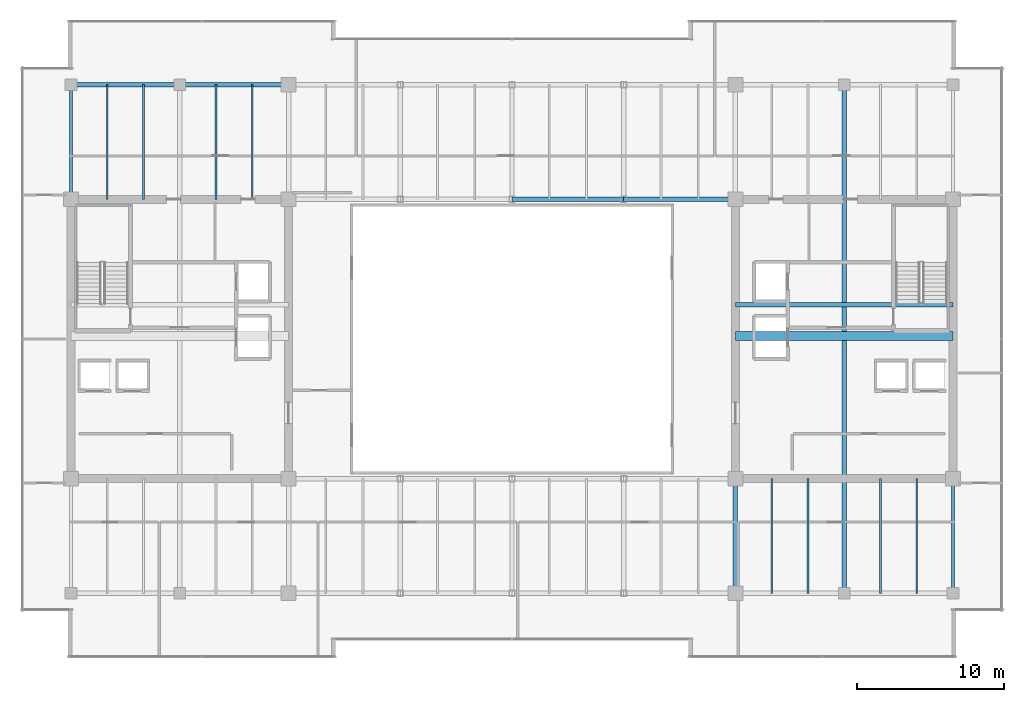
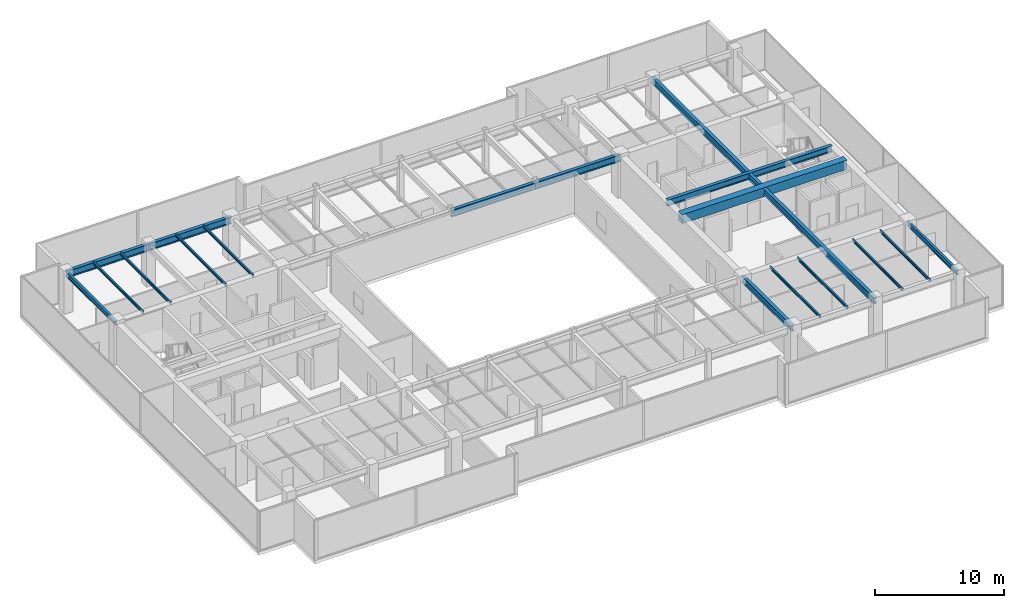
# One storey, part 14 of 33: 18 beams.
"""IFC4 building model written with IfcOpenShell, lengths in metres."""

from ifc_helpers import new_model, si_unit, direction, frame, origin, origin_2d, place, context, subcontext, project, spatial, rectangle, i_section, extrude, source, transform, mapped, material, material_profile, profile_set, type_object, type_shapes, element, save


model = new_model("IFC4")

# Units and contexts
model_context = context("Model", 3, precision=1e-05, world=origin(), true_north=direction((0.0, 1.0)))
body_context = subcontext(model_context, "Body", "Model", "MODEL_VIEW")
ifc_project = project(units=[si_unit("LENGTHUNIT", "METRE"), si_unit("AREAUNIT", "SQUARE_METRE"), si_unit("VOLUMEUNIT", "CUBIC_METRE"), si_unit("PLANEANGLEUNIT", "RADIAN"), si_unit("MASSUNIT", "GRAM", prefix="KILO")], contexts=[model_context])

# Site, building, storey
site_placement = place(None, origin())
site = spatial("IfcSite", under=ifc_project, at=site_placement, CompositionType="ELEMENT")
building_placement = place(site_placement, origin())
building = spatial("IfcBuilding", under=site, at=building_placement, Name="Haelvirn Gate Laboratories", CompositionType="ELEMENT")
storey_placement = place(building_placement, frame((0.0, 0.0, 267.0)))
storey = spatial("IfcBuildingStorey", under=building, at=storey_placement, Name="L64", CompositionType="ELEMENT", Elevation=267.0)

# Beams
ifc_material_1 = material(Name="Steel SM355", Category="steel")
ifc_material_profile_1 = material_profile(ifc_material_1, i_section(OverallWidth=0.300048828125, OverallDepth=0.587890625, WebThickness=0.011962890625, FlangeThickness=0.02001953125, at=origin_2d()), Name="H-588x300x12x20")
ifc_profile_set_1 = profile_set([ifc_material_profile_1], Name="Steel SM355")
beam_type_1 = type_object("IfcBeamType", Name="BM-G-588", PredefinedType="BEAM", material=ifc_profile_set_1)
shared_shape_1 = source(origin(), body_context, "Body", "SweptSolid", [
    extrude(i_section(OverallWidth=0.300048828125, OverallDepth=0.587890625, WebThickness=0.011962890625, FlangeThickness=0.02001953125, at=origin_2d()), origin(), (0.0, 0.0, 1.0), 14.7998046875),
])
beam_1_placement = place(storey_placement, frame((52.60009765625, 26.6201171875, 3.506103515625), z_axis=(1.0, 0.0, 0.0), x_axis=(0.0, 1.0, 0.0)))
element("IfcBeam", 1, at=beam_1_placement, inside=storey, type_object=beam_type_1, Name="L64 Stair ST2 Landing Header", PredefinedType="BEAM", context=body_context, shape_type="MappedRepresentation", body=[
    mapped(shared_shape_1, transform((0.0, 0.0, 0.0), scale=1.0)),
])
shared_shape_2 = source(origin(), body_context, "Body", "SweptSolid", [
    extrude(i_section(OverallWidth=0.300048828125, OverallDepth=0.587890625, WebThickness=0.011962890625, FlangeThickness=0.02001953125, at=origin_2d()), origin(), (0.0, 0.0, 1.0), 34.60009765625),
])
beam_2_placement = place(storey_placement, frame((60.0, 7.0, 3.506103515625), z_axis=(0.0, 1.0, 0.0), x_axis=(-1.0, 0.0, 0.0)))
element("IfcBeam", 2, at=beam_2_placement, inside=storey, type_object=beam_type_1, Name="L64 Frame Girder X60.0 (7.0-41.6)", PredefinedType="BEAM", context=body_context, shape_type="MappedRepresentation", body=[
    mapped(shared_shape_2, transform((0.0, 0.0, 0.0), scale=1.0)),
])
shared_shape_3 = source(origin(), body_context, "Body", "SweptSolid", [
    extrude(i_section(OverallWidth=0.300048828125, OverallDepth=0.587890625, WebThickness=0.011962890625, FlangeThickness=0.02001953125, at=origin_2d()), origin(), (0.0, 0.0, 1.0), 7.800048828125),
])
type_shapes(beam_type_1, [shared_shape_1, shared_shape_2, shared_shape_3])
beam_3_placement = place(storey_placement, frame((52.60009765625, 7.0, 3.506103515625), z_axis=(0.0, 1.0, 0.0), x_axis=(-1.0, 0.0, 0.0)))
element("IfcBeam", 3, at=beam_3_placement, inside=storey, type_object=beam_type_1, Name="L64 Frame Girder X52.6 (7.0-14.8)", PredefinedType="BEAM", context=body_context, shape_type="MappedRepresentation", body=[
    mapped(shared_shape_3, transform((0.0, 0.0, 0.0), scale=1.0)),
])
ifc_material_2 = material(Name="Concrete C50/60", Category="concrete")
ifc_material_profile_2 = material_profile(ifc_material_2, rectangle(XDim=0.60009765625, YDim=0.85009765625, at=origin_2d()), Name="RCB-600x850")
ifc_profile_set_2 = profile_set([ifc_material_profile_2], Name="Concrete C50/60")
beam_type_2 = type_object("IfcBeamType", Name="BM-RCB-850", PredefinedType="LINTEL", material=ifc_profile_set_2)
shared_shape_4 = source(origin(), body_context, "Body", "SweptSolid", [
    extrude(rectangle(XDim=0.60009765625, YDim=0.85009765625, at=origin_2d()), origin(), (0.0, 0.0, 1.0), 14.7998046875),
])
type_shapes(beam_type_2, [shared_shape_4])
beam_4_placement = place(storey_placement, frame((52.60009765625, 24.5, 3.375), z_axis=(1.0, 0.0, 0.0), x_axis=(0.0, 1.0, 0.0)))
element("IfcBeam", 4, at=beam_4_placement, inside=storey, type_object=beam_type_2, Name="L64 East Core Coupling Beam", PredefinedType="LINTEL", context=body_context, shape_type="MappedRepresentation", body=[
    mapped(shared_shape_4, transform((0.0, 0.0, 0.0), scale=1.0)),
])
ifc_material_profile_3 = material_profile(ifc_material_1, i_section(OverallWidth=0.300048828125, OverallDepth=0.64990234375, WebThickness=0.012939453125, FlangeThickness=0.02197265625, at=origin_2d()), Name="H-650x300x13x22")
ifc_profile_set_3 = profile_set([ifc_material_profile_3], Name="Steel SM355")
beam_type_3 = type_object("IfcBeamType", Name="BM-G-650", PredefinedType="BEAM", material=ifc_profile_set_3)
shared_shape_5 = source(origin(), body_context, "Body", "SweptSolid", [
    extrude(i_section(OverallWidth=0.300048828125, OverallDepth=0.64990234375, WebThickness=0.012939453125, FlangeThickness=0.02197265625, at=origin_2d()), origin(), (0.0, 0.0, 1.0), 7.400146484375),
])
beam_5_placement = place(storey_placement, frame((7.39990234375, 41.60009765625, 3.47509765625), z_axis=(1.0, 0.0, 0.0), x_axis=(0.0, 1.0, 0.0)))
element("IfcBeam", 5, at=beam_5_placement, inside=storey, type_object=beam_type_3, Name="L64 Primary Girder Y41.6 (7.4-14.8)", PredefinedType="BEAM", context=body_context, shape_type="MappedRepresentation", body=[
    mapped(shared_shape_5, transform((0.0, 0.0, 0.0), scale=1.0)),
])
shared_shape_6 = source(origin(), body_context, "Body", "SweptSolid", [
    extrude(i_section(OverallWidth=0.300048828125, OverallDepth=0.64990234375, WebThickness=0.012939453125, FlangeThickness=0.02197265625, at=origin_2d()), origin(), (0.0, 0.0, 1.0), 7.39990234375),
])
beam_6_placement = place(storey_placement, frame((14.800048828125, 41.60009765625, 3.47509765625), z_axis=(1.0, 0.0, 0.0), x_axis=(0.0, 1.0, 0.0)))
element("IfcBeam", 6, at=beam_6_placement, inside=storey, type_object=beam_type_3, Name="L64 Primary Girder Y41.6 (14.8-22.2)", PredefinedType="BEAM", context=body_context, shape_type="MappedRepresentation", body=[
    mapped(shared_shape_6, transform((0.0, 0.0, 0.0), scale=1.0)),
])
shared_shape_7 = source(origin(), body_context, "Body", "SweptSolid", [
    extrude(i_section(OverallWidth=0.300048828125, OverallDepth=0.64990234375, WebThickness=0.012939453125, FlangeThickness=0.02197265625, at=origin_2d()), origin(), (0.0, 0.0, 1.0), 7.60009765625),
])
type_shapes(beam_type_3, [shared_shape_5, shared_shape_6, shared_shape_7])
for number, where, z_axis, x_axis, name in (
    (7, (37.39990234375, 33.800048828125, 3.47509765625), (1.0, 0.0, 0.0), (0.0, 1.0, 0.0), "L64 Primary Girder Y33.8 (37.4-45.0)"),
    (8, (45.0, 33.800048828125, 3.47509765625), (1.0, 0.0, 0.0), (0.0, 1.0, 0.0), "L64 Primary Girder Y33.8 (45.0-52.6)"),
):
    element("IfcBeam", number, at=place(storey_placement, frame(where, z_axis=z_axis, x_axis=x_axis)), inside=storey, type_object=beam_type_3, Name=name, PredefinedType="BEAM", context=body_context, shape_type="MappedRepresentation", body=[
        mapped(shared_shape_7, transform((0.0, 0.0, 0.0), scale=1.0)),
    ])
ifc_material_profile_4 = material_profile(ifc_material_1, i_section(OverallWidth=0.199951171875, OverallDepth=0.449951171875, WebThickness=0.009033203125, FlangeThickness=0.013916015625, at=origin_2d()), Name="H-450x200x9x14")
ifc_profile_set_4 = profile_set([ifc_material_profile_4], Name="Steel SM355")
beam_type_4 = type_object("IfcBeamType", Name="BM-SP-450", PredefinedType="SPANDREL", material=ifc_profile_set_4)
shared_shape_8 = source(origin(), body_context, "Body", "SweptSolid", [
    extrude(i_section(OverallWidth=0.199951171875, OverallDepth=0.449951171875, WebThickness=0.009033203125, FlangeThickness=0.013916015625, at=origin_2d()), origin(), (0.0, 0.0, 1.0), 7.800048828125),
])
type_shapes(beam_type_4, [shared_shape_8])
for number, where, z_axis, x_axis, name in (
    (9, (7.39990234375, 33.800048828125, 3.574951171875), (0.0, 1.0, 0.0), (-1.0, 0.0, 0.0), "L64 Perimeter Spandrel X7.4 (33.8-41.6)"),
    (10, (67.39990234375, 7.0, 3.574951171875), (0.0, 1.0, 0.0), (-1.0, 0.0, 0.0), "L64 Perimeter Spandrel X67.4 (7.0-14.8)"),
):
    element("IfcBeam", number, at=place(storey_placement, frame(where, z_axis=z_axis, x_axis=x_axis)), inside=storey, type_object=beam_type_4, Name=name, PredefinedType="SPANDREL", context=body_context, shape_type="MappedRepresentation", body=[
        mapped(shared_shape_8, transform((0.0, 0.0, 0.0), scale=1.0)),
    ])
ifc_material_profile_5 = material_profile(ifc_material_1, i_section(OverallWidth=0.125, OverallDepth=0.25, WebThickness=0.006103515625, FlangeThickness=0.009033203125, at=origin_2d()), Name="H-250x125x6x9")
ifc_profile_set_5 = profile_set([ifc_material_profile_5], Name="Steel SM355")
beam_type_5 = type_object("IfcBeamType", Name="BM-J-250", PredefinedType="JOIST", material=ifc_profile_set_5)
shared_shape_9 = source(origin(), body_context, "Body", "SweptSolid", [
    extrude(i_section(OverallWidth=0.125, OverallDepth=0.25, WebThickness=0.006103515625, FlangeThickness=0.009033203125, at=origin_2d()), origin(), (0.0, 0.0, 1.0), 7.800048828125),
])
type_shapes(beam_type_5, [shared_shape_9])
for number, where, z_axis, x_axis, name in (
    (11, (9.8701171875, 33.800048828125, 3.675048828125), (0.0, 1.0, 0.0), (-1.0, 0.0, 0.0), "L64 Composite Lab Joist North X9.87"),
    (12, (12.330078125, 33.800048828125, 3.675048828125), (0.0, 1.0, 0.0), (-1.0, 0.0, 0.0), "L64 Composite Lab Joist North X12.33"),
    (13, (17.27001953125, 33.800048828125, 3.675048828125), (0.0, 1.0, 0.0), (-1.0, 0.0, 0.0), "L64 Composite Lab Joist North X17.27"),
    (14, (19.72998046875, 33.800048828125, 3.675048828125), (0.0, 1.0, 0.0), (-1.0, 0.0, 0.0), "L64 Composite Lab Joist North X19.73"),
    (15, (55.070068359375, 7.0, 3.675048828125), (0.0, 1.0, 0.0), (-1.0, 0.0, 0.0), "L64 Composite Lab Joist South X55.07"),
    (16, (57.530029296875, 7.0, 3.675048828125), (0.0, 1.0, 0.0), (-1.0, 0.0, 0.0), "L64 Composite Lab Joist South X57.53"),
    (17, (62.469970703125, 7.0, 3.675048828125), (0.0, 1.0, 0.0), (-1.0, 0.0, 0.0), "L64 Composite Lab Joist South X62.47"),
    (18, (64.929931640625, 7.0, 3.675048828125), (0.0, 1.0, 0.0), (-1.0, 0.0, 0.0), "L64 Composite Lab Joist South X64.93"),
):
    element("IfcBeam", number, at=place(storey_placement, frame(where, z_axis=z_axis, x_axis=x_axis)), inside=storey, type_object=beam_type_5, Name=name, PredefinedType="JOIST", context=body_context, shape_type="MappedRepresentation", body=[
        mapped(shared_shape_9, transform((0.0, 0.0, 0.0), scale=1.0)),
    ])

save(model, "model.ifc")
